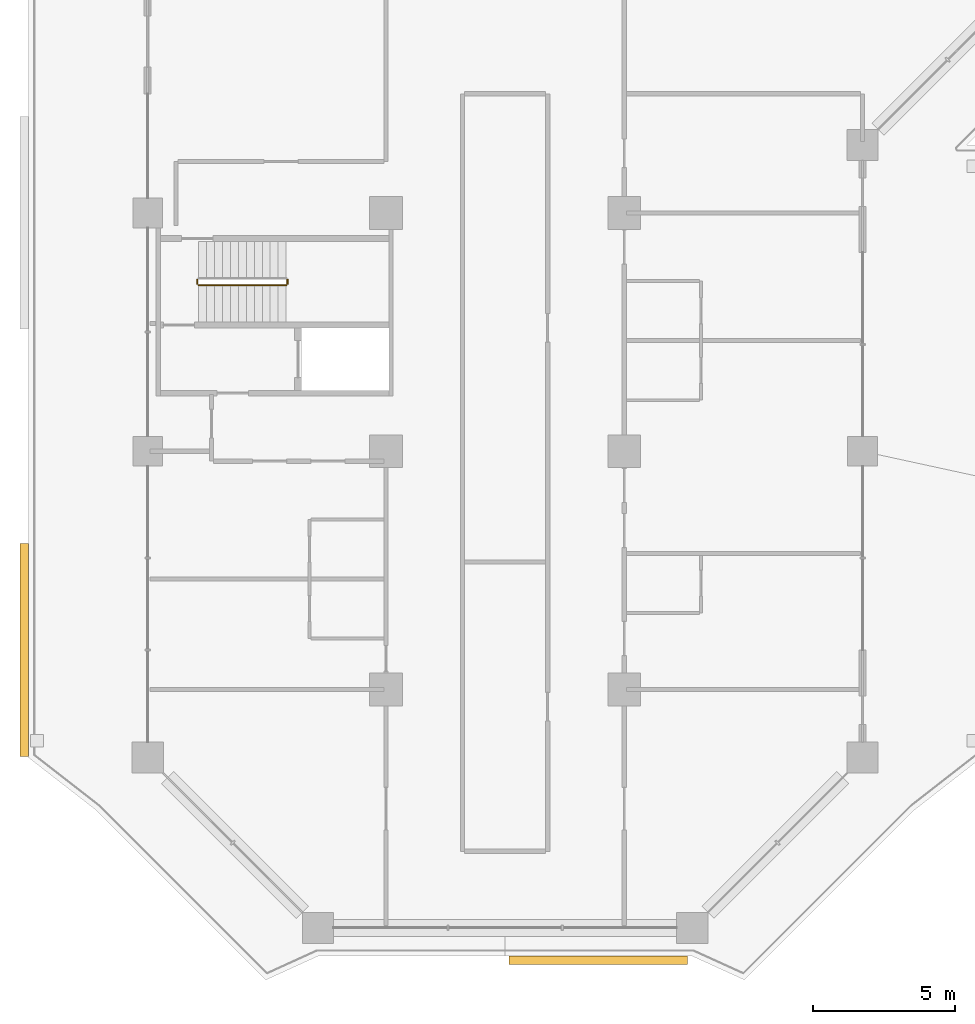
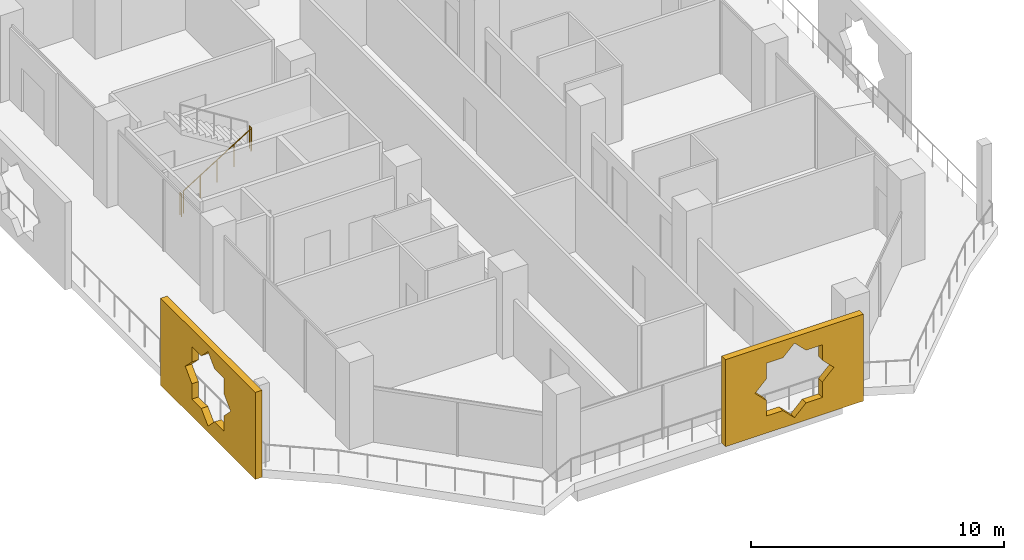
# One storey, part 20 of 25: 3 railings, 2 coverings.
"""IFC4 building model written with IfcOpenShell, lengths in metres."""

from ifc_helpers import new_model, si_unit, direction, frame, origin, origin_2d, place, context, subcontext, project, spatial, polyline, circle, outline, extrude, material, material_profile, profile_set, type_object, element, save


model = new_model("IFC4")

# Units and contexts
model_context = context("Model", 3, precision=1e-05, world=origin(), true_north=direction((0.0, 1.0)))
body_context = subcontext(model_context, "Body", "Model", "MODEL_VIEW")
ifc_project = project(units=[si_unit("LENGTHUNIT", "METRE"), si_unit("AREAUNIT", "SQUARE_METRE"), si_unit("VOLUMEUNIT", "CUBIC_METRE"), si_unit("PLANEANGLEUNIT", "RADIAN"), si_unit("MASSUNIT", "GRAM", prefix="KILO")], contexts=[model_context])

# Site, building, storey
site_placement = place(None, origin())
site = spatial("IfcSite", under=ifc_project, at=site_placement, CompositionType="ELEMENT")
building_placement = place(site_placement, origin())
building = spatial("IfcBuilding", under=site, at=building_placement, Name="Kawkab Arch Medical Tower", CompositionType="ELEMENT")
storey_placement = place(building_placement, frame((0.0, 0.0, 111.39990234375)))
storey = spatial("IfcBuildingStorey", under=building, at=storey_placement, Name="L25", CompositionType="ELEMENT", Elevation=111.39990234375)

# Coverings
ifc_material_1 = material(Name="Bronze anodised aluminium mashrabiya panel, eight-point star pattern", Category="aluminium")
ifc_material_profile_1 = material_profile(ifc_material_1, outline(polyline([(-3.14990234375, -2.10009765625), (3.14990234375, -2.10009765625), (3.14990234375, 2.10009765625), (-3.14990234375, 2.10009765625), (-3.14990234375, -2.10009765625)]), holes=[polyline([(1.800048828125, 0.0), (1.272705078125, 0.527099609375), (1.272705078125, 1.272705078125), (0.527099609375, 1.272705078125), (0.0, 1.800048828125), (-0.527099609375, 1.272705078125), (-1.272705078125, 1.272705078125), (-1.272705078125, 0.527099609375), (-1.800048828125, 0.0), (-1.272705078125, -0.527099609375), (-1.272705078125, -1.272705078125), (-0.527099609375, -1.272705078125), (0.0, -1.800048828125), (0.527099609375, -1.272705078125), (1.272705078125, -1.272705078125), (1.272705078125, -0.527099609375), (1.800048828125, 0.0)])]), Name="Mashrabiya panel 6300x4200")
ifc_profile_set_1 = profile_set([ifc_material_profile_1], Name="Bronze anodised aluminium mashrabiya panel, eight-point star pattern")
covering_type_1 = type_object("IfcCoveringType", Name="Mashrabiya panel 6300 x 4200", PredefinedType="USERDEFINED", material=ifc_profile_set_1)
covering_1_placement = place(storey_placement, frame((15.881103515625, -59.800048828125, 1.7001953125), z_axis=(0.0, -1.0, 0.0), x_axis=(1.0, 0.0, 0.0)))
element("IfcCovering", 1, at=covering_1_placement, inside=storey, type_object=covering_type_1, Name="Mashrabiya panel L25.LOG-01-01.4", ObjectType="SCREEN", PredefinedType="USERDEFINED", context=body_context, shape_type="SweptSolid", body=[
    extrude(outline(polyline([(-3.14990234375, -2.10009765625), (3.14990234375, -2.10009765625), (3.14990234375, 2.10009765625), (-3.14990234375, 2.10009765625), (-3.14990234375, -2.10009765625)]), holes=[polyline([(1.800048828125, 0.0), (1.272705078125, 0.527099609375), (1.272705078125, 1.272705078125), (0.527099609375, 1.272705078125), (0.0, 1.800048828125), (-0.527099609375, 1.272705078125), (-1.272705078125, 1.272705078125), (-1.272705078125, 0.527099609375), (-1.800048828125, 0.0), (-1.272705078125, -0.527099609375), (-1.272705078125, -1.272705078125), (-0.527099609375, -1.272705078125), (0.0, -1.800048828125), (0.527099609375, -1.272705078125), (1.272705078125, -1.272705078125), (1.272705078125, -0.527099609375), (1.800048828125, 0.0)])]), origin(), (0.0, 0.0, 1.0), 0.300048828125),
])
ifc_material_2 = material(Name="Bronze anodised aluminium mashrabiya panel, eight-point star pattern", Category="aluminium")
ifc_material_profile_2 = material_profile(ifc_material_2, outline(polyline([(-3.75, -2.10009765625), (3.75, -2.10009765625), (3.75, 2.10009765625), (-3.75, 2.10009765625), (-3.75, -2.10009765625)]), holes=[polyline([(1.800048828125, 0.0), (1.272705078125, 0.527099609375), (1.272705078125, 1.272705078125), (0.527099609375, 1.272705078125), (0.0, 1.800048828125), (-0.527099609375, 1.272705078125), (-1.272705078125, 1.272705078125), (-1.272705078125, 0.527099609375), (-1.800048828125, 0.0), (-1.272705078125, -0.527099609375), (-1.272705078125, -1.272705078125), (-0.527099609375, -1.272705078125), (0.0, -1.800048828125), (0.527099609375, -1.272705078125), (1.272705078125, -1.272705078125), (1.272705078125, -0.527099609375), (1.800048828125, 0.0)])]), Name="Mashrabiya panel 7500x4200")
ifc_profile_set_2 = profile_set([ifc_material_profile_2], Name="Bronze anodised aluminium mashrabiya panel, eight-point star pattern")
covering_type_2 = type_object("IfcCoveringType", Name="Mashrabiya panel 7500 x 4200", PredefinedType="USERDEFINED", material=ifc_profile_set_2)
covering_2_placement = place(storey_placement, frame((-4.199951171875, -49.00439453125, 1.7001953125), z_axis=(-1.0, 0.0, 0.0), x_axis=(0.0, -1.0, 0.0)))
element("IfcCovering", 2, at=covering_2_placement, inside=storey, type_object=covering_type_2, Name="Mashrabiya panel L25.LOG-01-01.5", ObjectType="SCREEN", PredefinedType="USERDEFINED", context=body_context, shape_type="SweptSolid", body=[
    extrude(outline(polyline([(-3.75, -2.10009765625), (3.75, -2.10009765625), (3.75, 2.10009765625), (-3.75, 2.10009765625), (-3.75, -2.10009765625)]), holes=[polyline([(1.800048828125, 0.0), (1.272705078125, 0.527099609375), (1.272705078125, 1.272705078125), (0.527099609375, 1.272705078125), (0.0, 1.800048828125), (-0.527099609375, 1.272705078125), (-1.272705078125, 1.272705078125), (-1.272705078125, 0.527099609375), (-1.800048828125, 0.0), (-1.272705078125, -0.527099609375), (-1.272705078125, -1.272705078125), (-0.527099609375, -1.272705078125), (0.0, -1.800048828125), (0.527099609375, -1.272705078125), (1.272705078125, -1.272705078125), (1.272705078125, -0.527099609375), (1.800048828125, 0.0)])]), origin(), (0.0, 0.0, 1.0), 0.300048828125),
])

# Railings
ifc_material_3 = material(Name="Stainless steel", Category="steel")
railing_type = type_object("IfcRailingType", Name="Stair guard 1100", PredefinedType="GUARDRAIL", material=ifc_material_3)
railing_placement = place(storey_placement, frame((1.800048828125, -36.14990234375, 0.175048828125)))
element("IfcRailing", 3, at=railing_placement, inside=storey, type_object=railing_type, Name="L25 ST6 stair guard 1", PredefinedType="GUARDRAIL", context=body_context, shape_type="SweptSolid", body=[
    extrude(circle(Radius=0.02392578125, at=origin_2d()), frame((0.0, 0.0, 1.076171875), z_axis=(0.847979421464, 0.0, 0.530029150871), x_axis=(0.0, 1.0, 0.0)), (0.0, 0.0, 1.0), 3.632080078125),
    extrude(circle(Radius=0.02099609375, at=origin_2d()), origin(), (0.0, 0.0, 1.0), 1.052001953125),
    extrude(circle(Radius=0.02099609375, at=origin_2d()), frame((0.77001953125, 0.0, 0.481201171875)), (0.0, 0.0, 1.0), 1.052001953125),
    extrude(circle(Radius=0.02099609375, at=origin_2d()), frame((1.5400390625, 0.0, 0.96240234375)), (0.0, 0.0, 1.0), 1.052001953125),
    extrude(circle(Radius=0.02099609375, at=origin_2d()), frame((2.309814453125, 0.0, 1.44384765625)), (0.0, 0.0, 1.0), 1.052001953125),
    extrude(circle(Radius=0.02099609375, at=origin_2d()), frame((3.079833984375, 0.0, 1.925048828125)), (0.0, 0.0, 1.0), 1.052001953125),
])
for number, where, name in (
    (4, (4.929931640625, -36.10009765625, 2.10009765625), "L25 ST6 stair guard 2"),
    (5, (1.75, -36.10009765625, 0.0), "L25 ST6 stair guard 4"),
):
    element("IfcRailing", number, at=place(storey_placement, frame(where)), inside=storey, type_object=railing_type, Name=name, PredefinedType="GUARDRAIL", context=body_context, shape_type="SweptSolid", body=[
        extrude(circle(Radius=0.02392578125, at=origin_2d()), frame((0.0, 0.0, 1.076171875), z_axis=(0.0, 1.0, 0.0), x_axis=(-1.0, 0.0, 0.0)), (0.0, 0.0, 1.0), 0.150146484375),
        extrude(circle(Radius=0.02099609375, at=origin_2d()), origin(), (0.0, 0.0, 1.0), 1.052001953125),
        extrude(circle(Radius=0.02099609375, at=origin_2d()), frame((0.0, 0.150146484375, 0.0)), (0.0, 0.0, 1.0), 1.052001953125),
    ])

save(model, "model.ifc")
